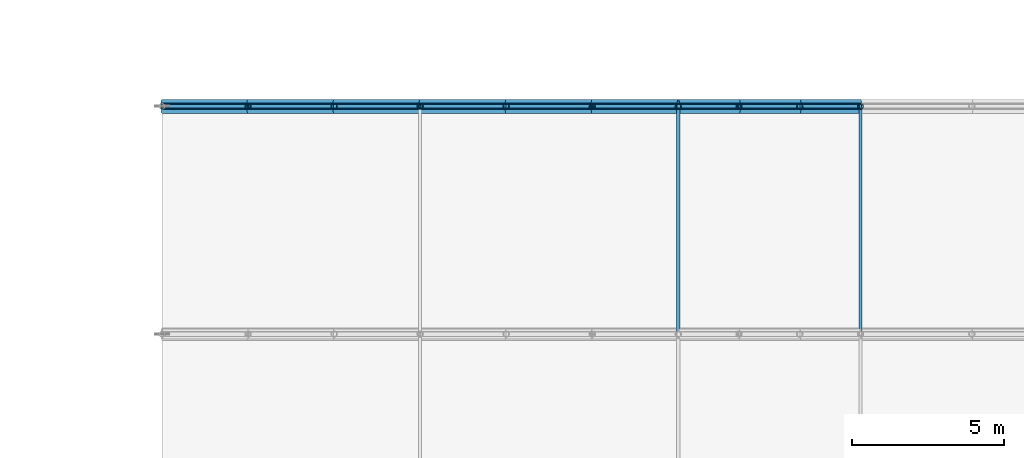
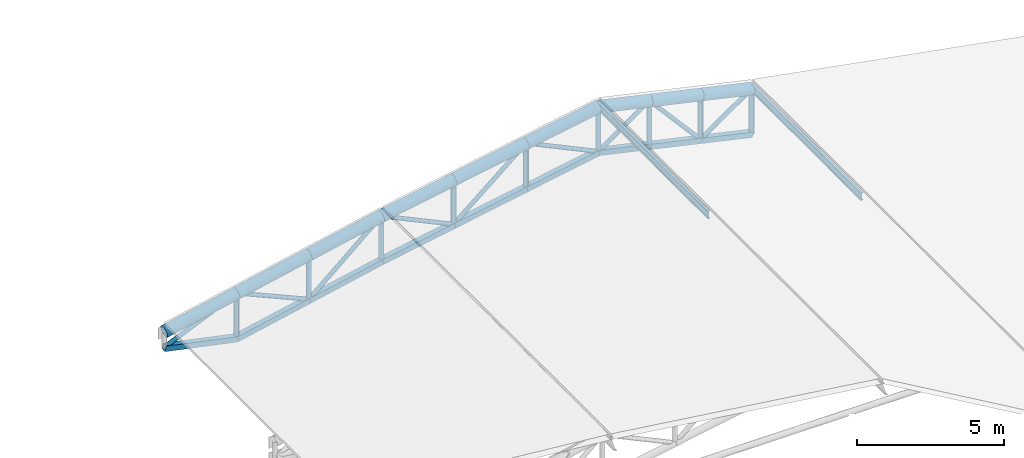
# One storey, part 19 of 28: 29 members, 9 beams.
"""IFC4 building model written with IfcOpenShell, lengths in metres."""

from ifc_helpers import new_model, si_unit, direction, frame, origin, origin_2d, place, context, subcontext, project, spatial, hollow_rectangle, hollow_circle, i_section, extrude, material, material_profile, profile_set, type_object, element, save


model = new_model("IFC4")

# Units and contexts
model_context = context("Model", 3, precision=1e-05, world=origin(), true_north=direction((0.0, 1.0)))
body_context = subcontext(model_context, "Body", "Model", "MODEL_VIEW")
ifc_project = project(units=[si_unit("LENGTHUNIT", "METRE"), si_unit("AREAUNIT", "SQUARE_METRE"), si_unit("VOLUMEUNIT", "CUBIC_METRE"), si_unit("PLANEANGLEUNIT", "RADIAN"), si_unit("MASSUNIT", "GRAM", prefix="KILO"), si_unit("THERMODYNAMICTEMPERATUREUNIT", "KELVIN"), si_unit("POWERUNIT", "WATT")], contexts=[model_context])

# Site, building, storey
site_placement = place(None, origin())
site = spatial("IfcSite", under=ifc_project, at=site_placement, CompositionType="ELEMENT")
building_placement = place(site_placement, origin())
building = spatial("IfcBuilding", under=site, at=building_placement, Name="Tepalcoro Natatorium and Aquatics Centre", CompositionType="ELEMENT")
storey_placement = place(building_placement, frame((0.0, 0.0, 23.199951171875)))
storey = spatial("IfcBuildingStorey", under=building, at=storey_placement, Name="RF", CompositionType="ELEMENT", Elevation=23.199951171875)

# Beams
ifc_material_1 = material(Name="Terracotta Painted Hollow Steel ASTM A500 Grade C (Fy 345 MPa)", Category="masonry")
ifc_material_profile_1 = material_profile(ifc_material_1, hollow_circle(Radius=0.228515625, WallThickness=0.02001953125, at=origin_2d()), Name="CHS457X20")
ifc_profile_set_1 = profile_set([ifc_material_profile_1], Name="Terracotta Painted Hollow Steel ASTM A500 Grade C (Fy 345 MPa)")
beam_type = type_object("IfcBeamType", Name="AC_CHS457x20", PredefinedType="USERDEFINED", material=ifc_profile_set_1)
beam_1_placement = place(storey_placement, frame((142.0, 59.0, -3.69140625), z_axis=(0.978074161878, 0.0, 0.208256893925), x_axis=(0.0, 1.0, 0.0)))
element("IfcBeam", 1, at=beam_1_placement, inside=storey, type_object=beam_type, Name="V2 Barrel-Arch Top Chord 8", ObjectType="ARCH CHORD", PredefinedType="USERDEFINED", context=body_context, shape_type="SweptSolid", body=[
    extrude(hollow_circle(Radius=0.228515625, WallThickness=0.02001953125, at=origin_2d()), origin(), (0.0, 0.0, 1.0), 2.896728515625),
])
beam_2_placement = place(storey_placement, frame((144.833251953125, 59.0, -3.088134765625), z_axis=(0.978077816746, 0.0, 0.208239728173), x_axis=(0.0, 1.0, 0.0)))
element("IfcBeam", 2, at=beam_2_placement, inside=storey, type_object=beam_type, Name="V2 Barrel-Arch Top Chord 8", ObjectType="ARCH CHORD", PredefinedType="USERDEFINED", context=body_context, shape_type="SweptSolid", body=[
    extrude(hollow_circle(Radius=0.228515625, WallThickness=0.02001953125, at=origin_2d()), origin(), (0.0, 0.0, 1.0), 2.89697265625),
])
beam_3_placement = place(storey_placement, frame((147.666748046875, 59.0, -2.48486328125), z_axis=(0.978056991721, 0.0, 0.208337516892), x_axis=(0.0, 1.0, 0.0)))
element("IfcBeam", 3, at=beam_3_placement, inside=storey, type_object=beam_type, Name="V2 Barrel-Arch Top Chord 8", ObjectType="ARCH CHORD", PredefinedType="USERDEFINED", context=body_context, shape_type="SweptSolid", body=[
    extrude(hollow_circle(Radius=0.228515625, WallThickness=0.02001953125, at=origin_2d()), origin(), (0.0, 0.0, 1.0), 2.896728515625),
])
beam_4_placement = place(storey_placement, frame((150.5, 59.0, -1.88134765625), z_axis=(0.983780267563, 0.0, 0.179377772181), x_axis=(0.0, 1.0, 0.0)))
element("IfcBeam", 4, at=beam_4_placement, inside=storey, type_object=beam_type, Name="V2 Barrel-Arch Top Chord 8", ObjectType="ARCH CHORD", PredefinedType="USERDEFINED", context=body_context, shape_type="SweptSolid", body=[
    extrude(hollow_circle(Radius=0.228515625, WallThickness=0.02001953125, at=origin_2d()), origin(), (0.0, 0.0, 1.0), 2.8798828125),
])
beam_5_placement = place(storey_placement, frame((153.333251953125, 59.0, -1.36474609375), z_axis=(0.983782994882, 0.0, 0.179362813818), x_axis=(0.0, 1.0, 0.0)))
element("IfcBeam", 5, at=beam_5_placement, inside=storey, type_object=beam_type, Name="V2 Barrel-Arch Top Chord 8", ObjectType="ARCH CHORD", PredefinedType="USERDEFINED", context=body_context, shape_type="SweptSolid", body=[
    extrude(hollow_circle(Radius=0.228515625, WallThickness=0.02001953125, at=origin_2d()), origin(), (0.0, 0.0, 1.0), 2.880126953125),
])
beam_6_placement = place(storey_placement, frame((156.166748046875, 59.0, -0.84814453125), z_axis=(0.983780267563, 0.0, 0.179377772181), x_axis=(0.0, 1.0, 0.0)))
element("IfcBeam", 6, at=beam_6_placement, inside=storey, type_object=beam_type, Name="V2 Barrel-Arch Top Chord 8", ObjectType="ARCH CHORD", PredefinedType="USERDEFINED", context=body_context, shape_type="SweptSolid", body=[
    extrude(hollow_circle(Radius=0.228515625, WallThickness=0.02001953125, at=origin_2d()), origin(), (0.0, 0.0, 1.0), 2.8798828125),
])
for number, where, z_axis, x_axis, name in (
    (7, (159.0, 59.0, -0.33154296875), (0.97561485681, 0.0, -0.21948952406), (0.0, 1.0, 0.0), "V2 Barrel-Arch Top Chord 8"),
    (8, (161.0, 59.0, -0.781494140625), (0.97561485681, 0.0, -0.21948952406), (0.0, 1.0, 0.0), "V2 Barrel-Arch Top Chord 8"),
    (9, (163.0, 59.0, -1.2314453125), (0.97561485681, 0.0, -0.21948952406), (0.0, 1.0, 0.0), "V2 Barrel-Arch Top Chord 8"),
):
    element("IfcBeam", number, at=place(storey_placement, frame(where, z_axis=z_axis, x_axis=x_axis)), inside=storey, type_object=beam_type, Name=name, ObjectType="ARCH CHORD", PredefinedType="USERDEFINED", context=body_context, shape_type="SweptSolid", body=[
        extrude(hollow_circle(Radius=0.228515625, WallThickness=0.02001953125, at=origin_2d()), origin(), (0.0, 0.0, 1.0), 2.050048828125),
    ])

# Members
ifc_material_profile_2 = material_profile(ifc_material_1, hollow_rectangle(XDim=0.219970703125, YDim=0.219970703125, WallThickness=0.011962890625, at=origin_2d()), Name="HSS220X220X12")
ifc_profile_set_2 = profile_set([ifc_material_profile_2], Name="Terracotta Painted Hollow Steel ASTM A500 Grade C (Fy 345 MPa)")
member_type_1 = type_object("IfcMemberType", Name="MB_CH_HSS220x220x12", PredefinedType="CHORD", material=ifc_profile_set_2)
member_1_placement = place(storey_placement, frame((142.0, 59.0, -4.341552734375), z_axis=(0.978535468327, 0.0, -0.206078473468), x_axis=(0.0, 1.0, 0.0)))
element("IfcMember", 10, at=member_1_placement, inside=storey, type_object=member_type_1, Name="V2 Barrel-Arch Bottom Chord 8", PredefinedType="CHORD", context=body_context, shape_type="SweptSolid", body=[
    extrude(hollow_rectangle(XDim=0.219970703125, YDim=0.219970703125, WallThickness=0.011962890625, at=origin_2d()), origin(), (0.0, 0.0, 1.0), 2.8955078125),
])
member_2_placement = place(storey_placement, frame((144.833251953125, 59.0, -4.938232421875), z_axis=(0.978060649356, 0.0, 0.208320345098), x_axis=(0.0, 1.0, 0.0)))
element("IfcMember", 11, at=member_2_placement, inside=storey, type_object=member_type_1, Name="V2 Barrel-Arch Bottom Chord 8", PredefinedType="CHORD", context=body_context, shape_type="SweptSolid", body=[
    extrude(hollow_rectangle(XDim=0.219970703125, YDim=0.219970703125, WallThickness=0.011962890625, at=origin_2d()), origin(), (0.0, 0.0, 1.0), 2.89697265625),
])
member_3_placement = place(storey_placement, frame((147.666748046875, 59.0, -4.334716796875), z_axis=(0.978074161878, 0.0, 0.208256893925), x_axis=(0.0, 1.0, 0.0)))
element("IfcMember", 12, at=member_3_placement, inside=storey, type_object=member_type_1, Name="V2 Barrel-Arch Bottom Chord 8", PredefinedType="CHORD", context=body_context, shape_type="SweptSolid", body=[
    extrude(hollow_rectangle(XDim=0.219970703125, YDim=0.219970703125, WallThickness=0.011962890625, at=origin_2d()), origin(), (0.0, 0.0, 1.0), 2.896728515625),
])
member_4_placement = place(storey_placement, frame((150.5, 59.0, -3.7314453125), z_axis=(0.983780267563, 0.0, 0.179377772181), x_axis=(0.0, 1.0, 0.0)))
element("IfcMember", 13, at=member_4_placement, inside=storey, type_object=member_type_1, Name="V2 Barrel-Arch Bottom Chord 8", PredefinedType="CHORD", context=body_context, shape_type="SweptSolid", body=[
    extrude(hollow_rectangle(XDim=0.219970703125, YDim=0.219970703125, WallThickness=0.011962890625, at=origin_2d()), origin(), (0.0, 0.0, 1.0), 2.8798828125),
])
for number, where, z_axis, x_axis, name in (
    (14, (153.333251953125, 59.0, -3.21484375), (0.983782994882, 0.0, 0.179362813818), (0.0, 1.0, 0.0), "V2 Barrel-Arch Bottom Chord 8"),
    (15, (156.166748046875, 59.0, -2.6982421875), (0.98376530478, 0.0, 0.179459814754), (0.0, 1.0, 0.0), "V2 Barrel-Arch Bottom Chord 8"),
):
    element("IfcMember", number, at=place(storey_placement, frame(where, z_axis=z_axis, x_axis=x_axis)), inside=storey, type_object=member_type_1, Name=name, PredefinedType="CHORD", context=body_context, shape_type="SweptSolid", body=[
        extrude(hollow_rectangle(XDim=0.219970703125, YDim=0.219970703125, WallThickness=0.011962890625, at=origin_2d()), origin(), (0.0, 0.0, 1.0), 2.880126953125),
    ])
for number, where, z_axis, x_axis, name in (
    (16, (159.0, 59.0, -2.181396484375), (0.97561485681, 0.0, -0.21948952406), (0.0, 1.0, 0.0), "V2 Barrel-Arch Bottom Chord 8"),
    (17, (161.0, 59.0, -2.63134765625), (0.975589348514, 0.0, -0.219602875813), (0.0, 1.0, 0.0), "V2 Barrel-Arch Bottom Chord 8"),
    (18, (163.0, 59.0, -3.08154296875), (0.97561485681, 0.0, -0.21948952406), (0.0, 1.0, 0.0), "V2 Barrel-Arch Bottom Chord 8"),
):
    element("IfcMember", number, at=place(storey_placement, frame(where, z_axis=z_axis, x_axis=x_axis)), inside=storey, type_object=member_type_1, Name=name, PredefinedType="CHORD", context=body_context, shape_type="SweptSolid", body=[
        extrude(hollow_rectangle(XDim=0.219970703125, YDim=0.219970703125, WallThickness=0.011962890625, at=origin_2d()), origin(), (0.0, 0.0, 1.0), 2.050048828125),
    ])
ifc_material_2 = material(Name="Steel ASTM A992 Grade 50 (Fy 345 MPa)", Category="steel")
ifc_material_profile_3 = material_profile(ifc_material_2, i_section(OverallWidth=0.10205078125, OverallDepth=0.31201171875, WebThickness=0.007080078125, FlangeThickness=0.010986328125, FilletRadius=0.013916015625, at=origin_2d()), Name="W12X22")
ifc_profile_set_3 = profile_set([ifc_material_profile_3], Name="Steel ASTM A992 Grade 50 (Fy 345 MPa)")
member_type_2 = type_object("IfcMemberType", Name="MB_PR_W12x22", PredefinedType="PURLIN", material=ifc_profile_set_3)
for number, where, z_axis, x_axis, name in (
    (19, (159.0, 51.5, -0.259033203125), (0.0, 1.0, 0.0), (-1.0, 0.0, 0.0), "V2 Barrel-Arch Roof Purlin"),
    (20, (165.0, 51.5, -1.60888671875), (0.0, 1.0, 0.0), (-1.0, 0.0, 0.0), "V2 Barrel-Arch Roof Purlin"),
):
    element("IfcMember", number, at=place(storey_placement, frame(where, z_axis=z_axis, x_axis=x_axis)), inside=storey, type_object=member_type_2, Name=name, PredefinedType="PURLIN", context=body_context, shape_type="SweptSolid", body=[
        extrude(i_section(OverallWidth=0.10205078125, OverallDepth=0.31201171875, WebThickness=0.007080078125, FlangeThickness=0.010986328125, FilletRadius=0.013916015625, at=origin_2d()), origin(), (0.0, 0.0, 1.0), 7.5),
    ])
ifc_material_profile_4 = material_profile(ifc_material_1, hollow_circle(Radius=0.096923828125, WallThickness=0.010009765625, at=origin_2d()), Name="CHS194X10")
ifc_profile_set_4 = profile_set([ifc_material_profile_4], Name="Terracotta Painted Hollow Steel ASTM A500 Grade C (Fy 345 MPa)")
member_type_3 = type_object("IfcMemberType", Name="MB_PS_CHS194x10", PredefinedType="POST", material=ifc_profile_set_4)
member_5_placement = place(storey_placement, frame((144.833251953125, 59.0, -4.938232421875), z_axis=(0.0, 0.0, 1.0), x_axis=(1.0, 0.0, 0.0)))
element("IfcMember", 21, at=member_5_placement, inside=storey, type_object=member_type_3, Name="V2 Barrel-Arch Post 8", PredefinedType="POST", context=body_context, shape_type="SweptSolid", body=[
    extrude(hollow_circle(Radius=0.096923828125, WallThickness=0.010009765625, at=origin_2d()), origin(), (0.0, 0.0, 1.0), 1.85009765625),
])
member_6_placement = place(storey_placement, frame((147.666748046875, 59.0, -4.334716796875), z_axis=(0.0, 0.0, 1.0), x_axis=(1.0, 0.0, 0.0)))
element("IfcMember", 22, at=member_6_placement, inside=storey, type_object=member_type_3, Name="V2 Barrel-Arch Post 8", PredefinedType="POST", context=body_context, shape_type="SweptSolid", body=[
    extrude(hollow_circle(Radius=0.096923828125, WallThickness=0.010009765625, at=origin_2d()), origin(), (0.0, 0.0, 1.0), 1.849853515625),
])
for number, where, z_axis, x_axis, name in (
    (23, (150.5, 59.0, -3.7314453125), (0.0, 0.0, 1.0), (1.0, 0.0, 0.0), "V2 Barrel-Arch Post 8"),
    (24, (153.333251953125, 59.0, -3.21484375), (0.0, 0.0, 1.0), (1.0, 0.0, 0.0), "V2 Barrel-Arch Post 8"),
    (25, (156.166748046875, 59.0, -2.6982421875), (0.0, 0.0, 1.0), (1.0, 0.0, 0.0), "V2 Barrel-Arch Post 8"),
):
    element("IfcMember", number, at=place(storey_placement, frame(where, z_axis=z_axis, x_axis=x_axis)), inside=storey, type_object=member_type_3, Name=name, PredefinedType="POST", context=body_context, shape_type="SweptSolid", body=[
        extrude(hollow_circle(Radius=0.096923828125, WallThickness=0.010009765625, at=origin_2d()), origin(), (0.0, 0.0, 1.0), 1.85009765625),
    ])
for number, where, z_axis, x_axis, name in (
    (26, (159.0, 59.0, -2.181396484375), (0.0, 0.0, 1.0), (1.0, 0.0, 0.0), "V2 Barrel-Arch Post 8"),
    (27, (161.0, 59.0, -2.63134765625), (0.0, 0.0, 1.0), (1.0, 0.0, 0.0), "V2 Barrel-Arch Post 8"),
):
    element("IfcMember", number, at=place(storey_placement, frame(where, z_axis=z_axis, x_axis=x_axis)), inside=storey, type_object=member_type_3, Name=name, PredefinedType="POST", context=body_context, shape_type="SweptSolid", body=[
        extrude(hollow_circle(Radius=0.096923828125, WallThickness=0.010009765625, at=origin_2d()), origin(), (0.0, 0.0, 1.0), 1.849853515625),
    ])
for number, where, z_axis, x_axis, name in (
    (28, (163.0, 59.0, -3.08154296875), (0.0, 0.0, 1.0), (1.0, 0.0, 0.0), "V2 Barrel-Arch Post 8"),
    (29, (165.0, 59.0, -3.531494140625), (0.0, 0.0, 1.0), (1.0, 0.0, 0.0), "V2 Barrel-Arch Post 8"),
):
    element("IfcMember", number, at=place(storey_placement, frame(where, z_axis=z_axis, x_axis=x_axis)), inside=storey, type_object=member_type_3, Name=name, PredefinedType="POST", context=body_context, shape_type="SweptSolid", body=[
        extrude(hollow_circle(Radius=0.096923828125, WallThickness=0.010009765625, at=origin_2d()), origin(), (0.0, 0.0, 1.0), 1.85009765625),
    ])
ifc_material_profile_5 = material_profile(ifc_material_1, hollow_circle(Radius=0.083984375, WallThickness=0.011962890625, at=origin_2d()), Name="CHS168X12")
ifc_profile_set_5 = profile_set([ifc_material_profile_5], Name="Terracotta Painted Hollow Steel ASTM A500 Grade C (Fy 345 MPa)")
member_type_4 = type_object("IfcMemberType", Name="MB_ST_CHS168x12", PredefinedType="STRUT", material=ifc_profile_set_5)
member_7_placement = place(storey_placement, frame((142.0, 59.0, -4.341552734375), z_axis=(0.914505622788, 0.0, 0.40457318978), x_axis=(0.0, 1.0, 0.0)))
element("IfcMember", 30, at=member_7_placement, inside=storey, type_object=member_type_4, Name="V2 Barrel-Arch Web Diagonal 8", PredefinedType="STRUT", context=body_context, shape_type="SweptSolid", body=[
    extrude(hollow_circle(Radius=0.083984375, WallThickness=0.011962890625, at=origin_2d()), origin(), (0.0, 0.0, 1.0), 3.09814453125),
])
member_8_placement = place(storey_placement, frame((144.833251953125, 59.0, -3.088134765625), z_axis=(0.915333638203, 0.0, -0.402696325751), x_axis=(0.0, 1.0, 0.0)))
element("IfcMember", 31, at=member_8_placement, inside=storey, type_object=member_type_4, Name="V2 Barrel-Arch Web Diagonal 8", PredefinedType="STRUT", context=body_context, shape_type="SweptSolid", body=[
    extrude(hollow_circle(Radius=0.083984375, WallThickness=0.011962890625, at=origin_2d()), origin(), (0.0, 0.0, 1.0), 3.095703125),
])
member_9_placement = place(storey_placement, frame((147.666748046875, 59.0, -4.334716796875), z_axis=(0.755968428553, 0.0, 0.654608077426), x_axis=(0.0, 1.0, 0.0)))
element("IfcMember", 32, at=member_9_placement, inside=storey, type_object=member_type_4, Name="V2 Barrel-Arch Web Diagonal 8", PredefinedType="STRUT", context=body_context, shape_type="SweptSolid", body=[
    extrude(hollow_circle(Radius=0.083984375, WallThickness=0.011962890625, at=origin_2d()), origin(), (0.0, 0.0, 1.0), 3.747802734375),
])
member_10_placement = place(storey_placement, frame((150.5, 59.0, -1.88134765625), z_axis=(0.904793963626, 0.0, -0.425849601838), x_axis=(0.0, 1.0, 0.0)))
element("IfcMember", 33, at=member_10_placement, inside=storey, type_object=member_type_4, Name="V2 Barrel-Arch Web Diagonal 8", PredefinedType="STRUT", context=body_context, shape_type="SweptSolid", body=[
    extrude(hollow_circle(Radius=0.083984375, WallThickness=0.011962890625, at=origin_2d()), origin(), (0.0, 0.0, 1.0), 3.13134765625),
])
member_11_placement = place(storey_placement, frame((153.333251953125, 59.0, -3.21484375), z_axis=(0.767494449024, 0.0, 0.641055590973), x_axis=(0.0, 1.0, 0.0)))
element("IfcMember", 34, at=member_11_placement, inside=storey, type_object=member_type_4, Name="V2 Barrel-Arch Web Diagonal 8", PredefinedType="STRUT", context=body_context, shape_type="SweptSolid", body=[
    extrude(hollow_circle(Radius=0.083984375, WallThickness=0.011962890625, at=origin_2d()), origin(), (0.0, 0.0, 1.0), 3.69189453125),
])
member_12_placement = place(storey_placement, frame((156.166748046875, 59.0, -0.84814453125), z_axis=(0.904824003103, 0.0, -0.425785771732), x_axis=(0.0, 1.0, 0.0)))
element("IfcMember", 35, at=member_12_placement, inside=storey, type_object=member_type_4, Name="V2 Barrel-Arch Web Diagonal 8", PredefinedType="STRUT", context=body_context, shape_type="SweptSolid", body=[
    extrude(hollow_circle(Radius=0.083984375, WallThickness=0.011962890625, at=origin_2d()), origin(), (0.0, 0.0, 1.0), 3.13134765625),
])
member_13_placement = place(storey_placement, frame((159.0, 59.0, -2.181396484375), z_axis=(0.819250713189, 0.0, 0.573435496756), x_axis=(0.0, 1.0, 0.0)))
element("IfcMember", 36, at=member_13_placement, inside=storey, type_object=member_type_4, Name="V2 Barrel-Arch Web Diagonal 8", PredefinedType="STRUT", context=body_context, shape_type="SweptSolid", body=[
    extrude(hollow_circle(Radius=0.083984375, WallThickness=0.011962890625, at=origin_2d()), origin(), (0.0, 0.0, 1.0), 2.441162109375),
])
member_14_placement = place(storey_placement, frame((161.0, 59.0, -0.781494140625), z_axis=(0.65617078259, 0.0, -0.754612419773), x_axis=(0.0, 1.0, 0.0)))
element("IfcMember", 37, at=member_14_placement, inside=storey, type_object=member_type_4, Name="V2 Barrel-Arch Web Diagonal 8", PredefinedType="STRUT", context=body_context, shape_type="SweptSolid", body=[
    extrude(hollow_circle(Radius=0.083984375, WallThickness=0.011962890625, at=origin_2d()), origin(), (0.0, 0.0, 1.0), 3.048095703125),
])
member_15_placement = place(storey_placement, frame((163.0, 59.0, -3.08154296875), z_axis=(0.819203731481, 0.0, 0.57350261231), x_axis=(0.0, 1.0, 0.0)))
element("IfcMember", 38, at=member_15_placement, inside=storey, type_object=member_type_4, Name="V2 Barrel-Arch Web Diagonal 8", PredefinedType="STRUT", context=body_context, shape_type="SweptSolid", body=[
    extrude(hollow_circle(Radius=0.083984375, WallThickness=0.011962890625, at=origin_2d()), origin(), (0.0, 0.0, 1.0), 2.44140625),
])

save(model, "model.ifc")
